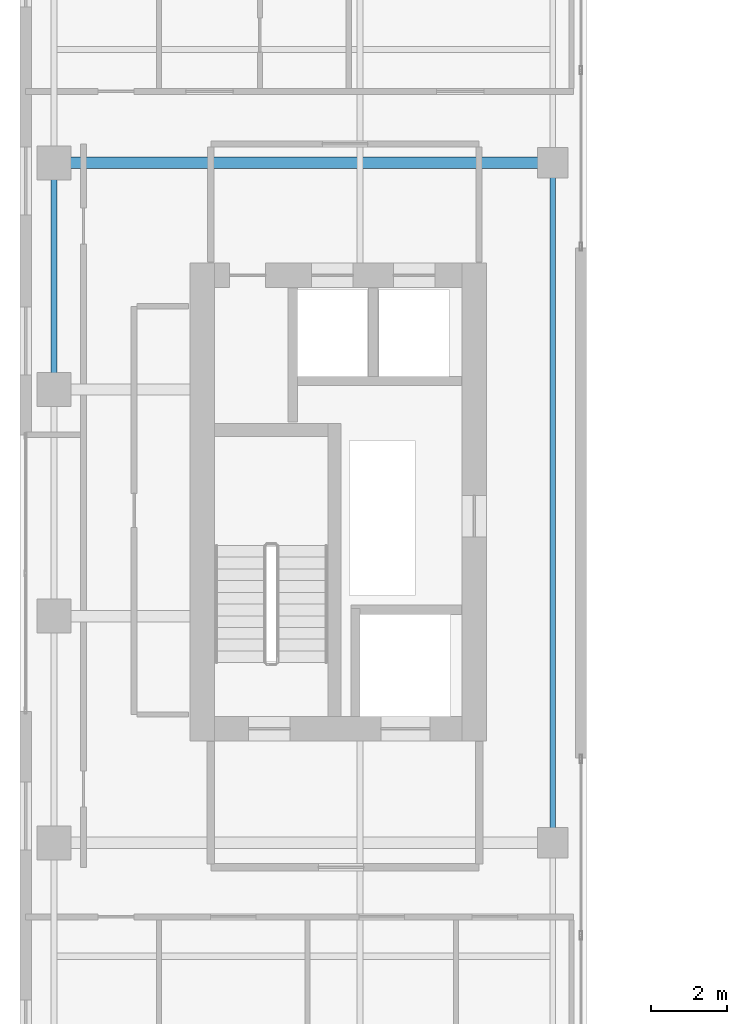
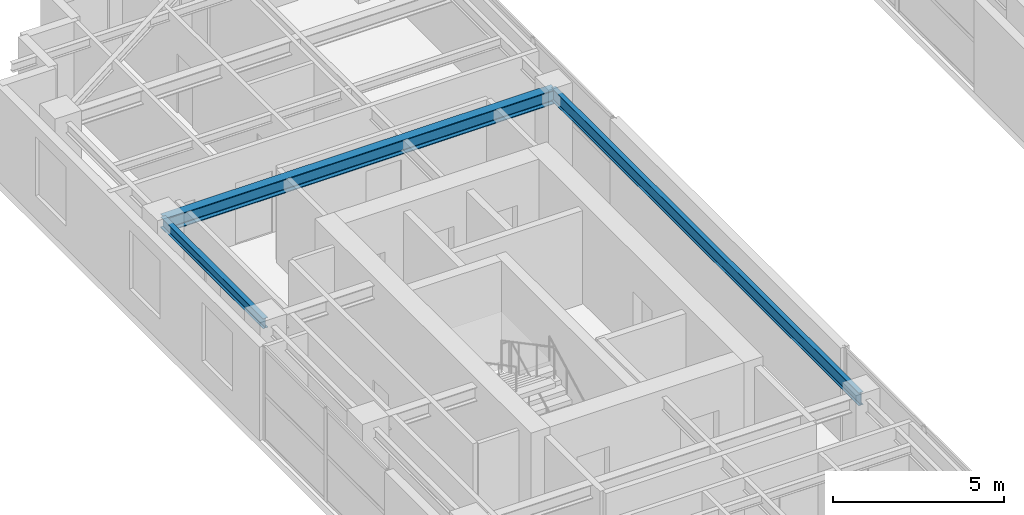
# One storey, part 8 of 20: 3 beams.
"""IFC4 building model written with IfcOpenShell, lengths in metres."""

from ifc_helpers import new_model, si_unit, direction, frame, origin, origin_2d, place, context, subcontext, project, spatial, i_section, extrude, source, transform, mapped, material, material_profile, profile_set, type_object, element, save


model = new_model("IFC4")

# Units and contexts
model_context = context("Model", 3, precision=1e-05, world=origin(), true_north=direction((0.0, 1.0)))
body_context = subcontext(model_context, "Body", "Model", "MODEL_VIEW")
ifc_project = project(units=[si_unit("LENGTHUNIT", "METRE"), si_unit("AREAUNIT", "SQUARE_METRE"), si_unit("VOLUMEUNIT", "CUBIC_METRE"), si_unit("PLANEANGLEUNIT", "RADIAN"), si_unit("MASSUNIT", "GRAM", prefix="KILO")], contexts=[model_context])

# Site, building, storey
site_placement = place(None, origin())
site = spatial("IfcSite", under=ifc_project, at=site_placement, CompositionType="ELEMENT")
building_placement = place(site_placement, origin())
building = spatial("IfcBuilding", under=site, at=building_placement, Name="Khoralis Quay Care Tower", CompositionType="ELEMENT")
storey_placement = place(building_placement, frame((0.0, 0.0, 198.89990234375)))
storey = spatial("IfcBuildingStorey", under=building, at=storey_placement, Name="L52", CompositionType="ELEMENT", Elevation=198.89990234375)

# Beams
ifc_material = material(Name="Steel S355", Category="steel")
ifc_material_profile_1 = material_profile(ifc_material, i_section(OverallWidth=0.169921875, OverallDepth=0.360107421875, WebThickness=0.008056640625, FlangeThickness=0.0126953125, FilletRadius=0.01806640625, at=origin_2d()), Name="Steel S355")
ifc_profile_set_1 = profile_set([ifc_material_profile_1], Name="Steel S355")
beam_type_1 = type_object("IfcBeamType", Name="BM-IPE360", PredefinedType="SPANDREL", material=ifc_profile_set_1)
shared_shape_1 = source(origin(), body_context, "Body", "SweptSolid", [
    extrude(i_section(OverallWidth=0.169921875, OverallDepth=0.360107421875, WebThickness=0.008056640625, FlangeThickness=0.0126953125, FilletRadius=0.01806640625, at=origin_2d()), origin(), (0.0, 0.0, 1.0), 6.0),
])
beam_1_placement = place(storey_placement, frame((3.89990234375, 24.0, 3.16015625), z_axis=(0.0, 1.0, 0.0), x_axis=(-1.0, 0.0, 0.0)))
element("IfcBeam", 1, at=beam_1_placement, inside=storey, type_object=beam_type_1, Name="BM-TSP-L52-08", PredefinedType="SPANDREL", context=body_context, shape_type="MappedRepresentation", body=[
    mapped(shared_shape_1, transform((0.0, 0.0, 0.0), scale=1.0)),
])
ifc_material_profile_2 = material_profile(ifc_material, i_section(OverallWidth=0.300048828125, OverallDepth=0.5, WebThickness=0.014404296875, FlangeThickness=0.028076171875, FilletRadius=0.027099609375, at=origin_2d()), Name="Steel S355")
ifc_profile_set_2 = profile_set([ifc_material_profile_2], Name="Steel S355")
beam_type_2 = type_object("IfcBeamType", Name="BM-HEB500", PredefinedType="BEAM", material=ifc_profile_set_2)
shared_shape_2 = source(origin(), body_context, "Body", "SweptSolid", [
    extrude(i_section(OverallWidth=0.300048828125, OverallDepth=0.5, WebThickness=0.014404296875, FlangeThickness=0.028076171875, FilletRadius=0.027099609375, at=origin_2d()), origin(), (0.0, 0.0, 1.0), 13.2001953125),
])
beam_2_placement = place(storey_placement, frame((3.89990234375, 30.0, 3.090087890625), z_axis=(1.0, 0.0, 0.0), x_axis=(0.0, 1.0, 0.0)))
element("IfcBeam", 2, at=beam_2_placement, inside=storey, type_object=beam_type_2, Name="BM-TGXW-L52-300", PredefinedType="BEAM", context=body_context, shape_type="MappedRepresentation", body=[
    mapped(shared_shape_2, transform((0.0, 0.0, 0.0), scale=1.0)),
])
ifc_material_profile_3 = material_profile(ifc_material, i_section(OverallWidth=0.154052734375, OverallDepth=0.458984375, WebThickness=0.009033203125, FlangeThickness=0.015380859375, FilletRadius=0.014892578125, at=origin_2d()), Name="Steel S355")
ifc_profile_set_3 = profile_set([ifc_material_profile_3], Name="Steel S355")
beam_type_3 = type_object("IfcBeamType", Name="BM-W460X68", PredefinedType="BEAM", material=ifc_profile_set_3)
shared_shape_3 = source(origin(), body_context, "Body", "SweptSolid", [
    extrude(i_section(OverallWidth=0.154052734375, OverallDepth=0.458984375, WebThickness=0.009033203125, FlangeThickness=0.015380859375, FilletRadius=0.014892578125, at=origin_2d()), origin(), (0.0, 0.0, 1.0), 18.0),
])
beam_3_placement = place(storey_placement, frame((17.10009765625, 12.0, 3.110595703125), z_axis=(0.0, 1.0, 0.0), x_axis=(-1.0, 0.0, 0.0)))
element("IfcBeam", 3, at=beam_3_placement, inside=storey, type_object=beam_type_3, Name="BM-TGSW-L52", PredefinedType="BEAM", context=body_context, shape_type="MappedRepresentation", body=[
    mapped(shared_shape_3, transform((0.0, 0.0, 0.0), scale=1.0)),
])

save(model, "model.ifc")
